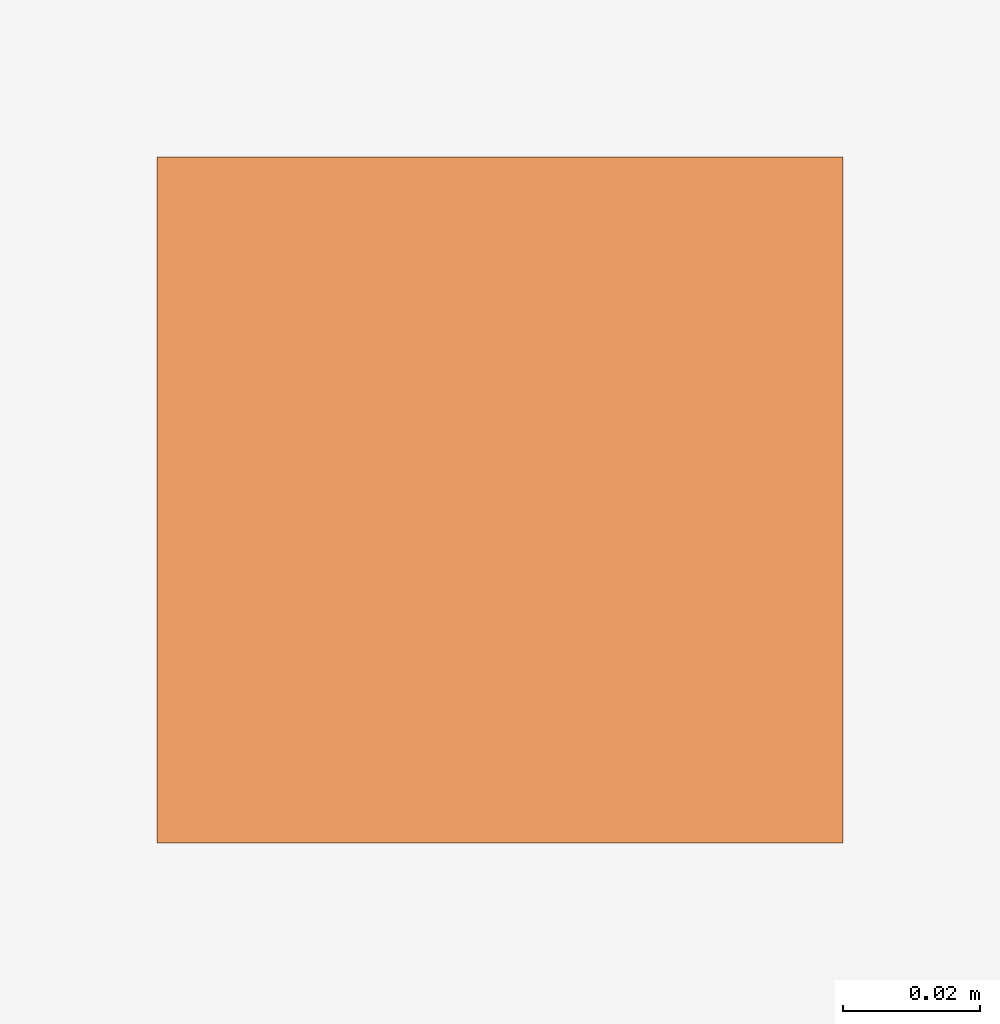
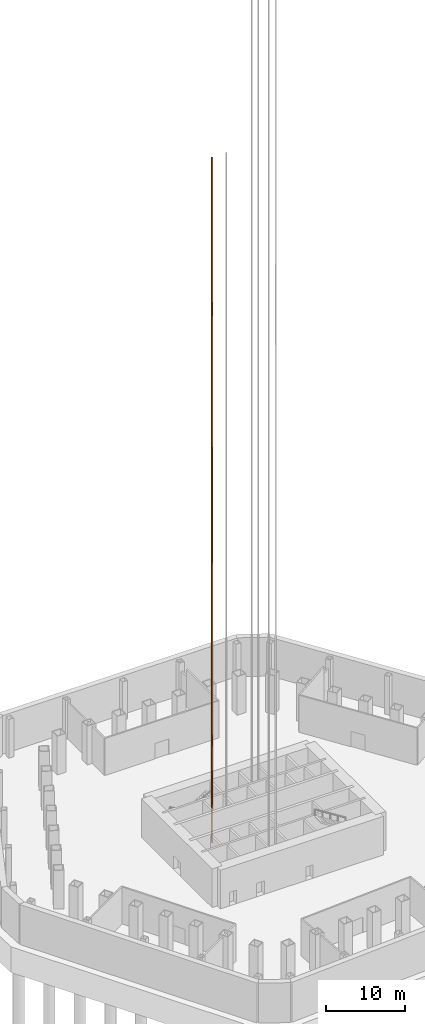
# One storey, part 9 of 12: 1 proxy.
"""IFC4 building model written with IfcOpenShell, lengths in metres."""

from ifc_helpers import new_model, si_unit, direction, frame, origin, origin_2d, place, context, subcontext, project, spatial, rectangle, extrude, material, type_object, element, save


model = new_model("IFC4")

# Units and contexts
model_context = context("Model", 3, precision=1e-05, world=origin(), true_north=direction((0.0, 1.0)))
body_context = subcontext(model_context, "Body", "Model", "MODEL_VIEW")
ifc_project = project(units=[si_unit("LENGTHUNIT", "METRE"), si_unit("AREAUNIT", "SQUARE_METRE"), si_unit("VOLUMEUNIT", "CUBIC_METRE"), si_unit("PLANEANGLEUNIT", "RADIAN"), si_unit("MASSUNIT", "GRAM", prefix="KILO")], contexts=[model_context])

# Site, building, storey
site_placement = place(None, origin())
site = spatial("IfcSite", under=ifc_project, at=site_placement, CompositionType="ELEMENT")
building_placement = place(site_placement, origin())
building = spatial("IfcBuilding", under=site, at=building_placement, Name="Qingtian Harvest Tower", CompositionType="ELEMENT")
storey_placement = place(building_placement, frame((0.0, 0.0, -12.0)))
storey = spatial("IfcBuildingStorey", under=building, at=storey_placement, Name="B2", CompositionType="ELEMENT", Elevation=-12.0)

# Proxy
ifc_material = material(Name="Steel SN490B", Category="steel")
building_element_proxy_type = type_object("IfcBuildingElementProxyType", Name="Lift guide rail LR1", PredefinedType="NOTDEFINED", material=ifc_material)
proxy_placement = place(storey_placement, frame((-5.550048828125, 3.52490234375, 0.0), z_axis=(0.0, 0.0, 1.0), x_axis=(1.0, 0.0, 0.0)))
element("IfcBuildingElementProxy", 1, at=proxy_placement, inside=storey, type_object=building_element_proxy_type, Name="Lift GL1 guide rail 1", PredefinedType="NOTDEFINED", context=body_context, shape_type="SweptSolid", body=[
    extrude(rectangle(XDim=0.10009765625, YDim=0.10009765625, at=origin_2d()), origin(), (0.0, 0.0, 1.0), 106.39990234375),
])

save(model, "model.ifc")
